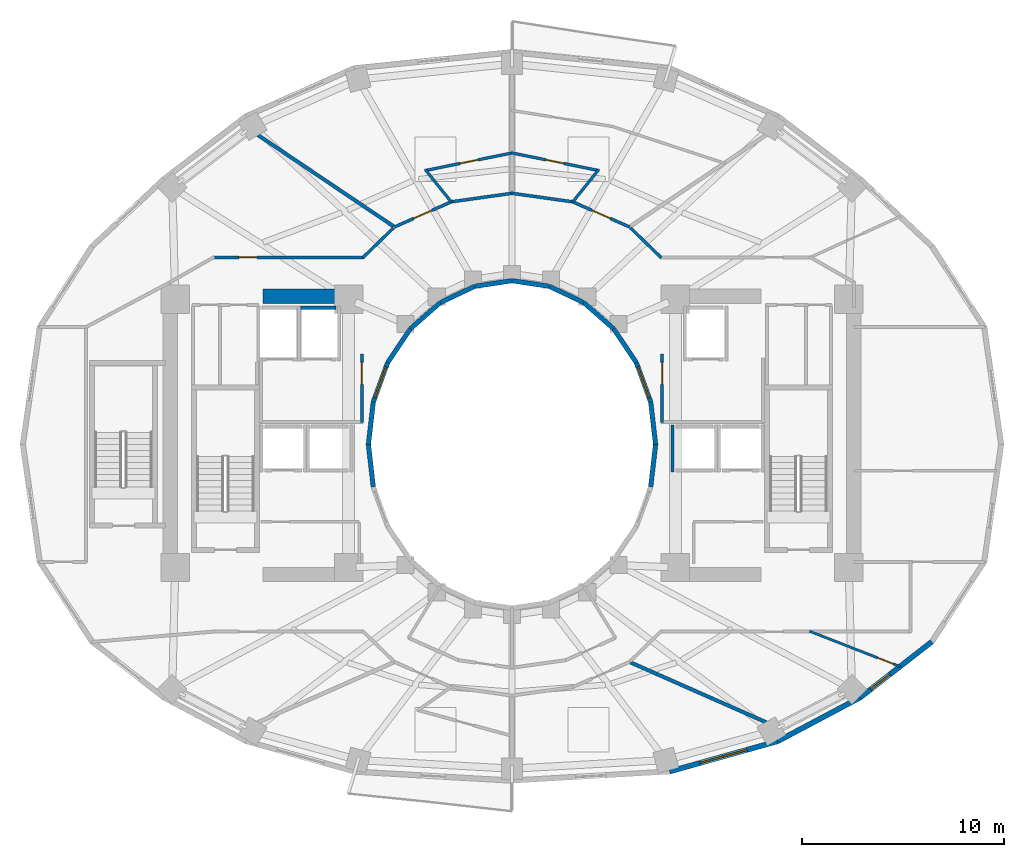
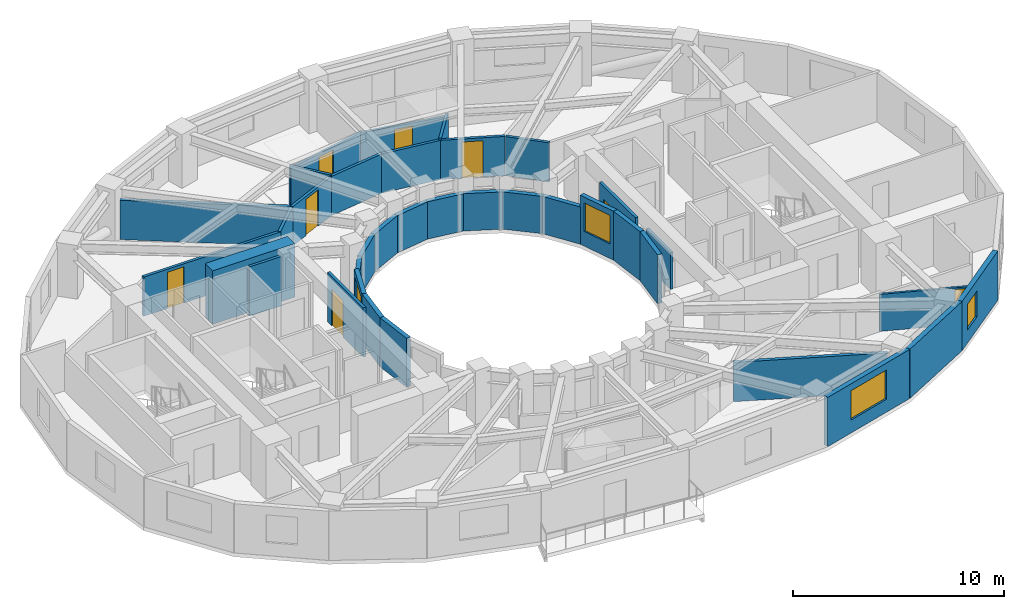
# One storey, part 5 of 9: 36 walls, 8 doors, 4 windows, 12 openings.
"""IFC4 building model written with IfcOpenShell, lengths in metres."""

import ifcopenshell
import ifcopenshell.guid

model = None  # the IFC model being written
_history = None  # IfcOwnerHistory: only IFC2X3 demands one
_inside = {}  # id of a spatial element -> (the spatial element, [elements in it])
_under = {}  # id of a project, library or spatial element -> (it, [spatial elements below it])
_declared = {}  # id of a project -> (the project, [libraries it declares])
_typed = {}  # id of a type object -> (the type object, [elements of that type])
_made_of = {}  # id of a material, layer set ... -> (it, [elements and type objects made of it])


def new_model(schema):
    """Start an empty IFC model of exactly this schema.

    Asked for "IFC4X3", IfcOpenShell would pick the latest addendum, in which some entities
    have other attributes; the version numbers below select the first issue.
    IFC2X3 requires an IfcOwnerHistory on every rooted entity: one is made here for all.
    """
    global model, _history
    if schema == "IFC4X3":
        model = ifcopenshell.file(schema_version=(4, 3, 0, 0))
    else:
        model = ifcopenshell.file(schema=schema)
    _inside.clear()
    _under.clear()
    _declared.clear()
    _typed.clear()
    _made_of.clear()
    _history = None
    if model.schema == "IFC2X3":
        org = make("IfcOrganization", Name="unknown")
        user = make(
            "IfcPersonAndOrganization",
            ThePerson=make("IfcPerson", FamilyName="unknown"),
            TheOrganization=org,
        )
        app = make(
            "IfcApplication",
            ApplicationDeveloper=org,
            Version="unknown",
            ApplicationFullName="unknown",
            ApplicationIdentifier="unknown",
        )
        _history = make(
            "IfcOwnerHistory",
            OwningUser=user,
            OwningApplication=app,
            ChangeAction="ADDED",
            CreationDate=0,
        )
    return model


def make(cls, **values):
    """One entity of the class cls with the attributes given. An attribute that is None is left unset."""
    return model.create_entity(
        cls, **{name: value for name, value in values.items() if value is not None}
    )


def rooted(cls, **values):
    """An entity with a GlobalId (a new one), such as an element, a storey or a relation."""
    return make(cls, GlobalId=ifcopenshell.guid.new(), OwnerHistory=_history, **values)


def si_unit(unit_type, name, prefix=None):
    """IfcSIUnit, for example si_unit("LENGTHUNIT", "METRE", prefix="MILLI")."""
    return make("IfcSIUnit", UnitType=unit_type, Prefix=prefix, Name=name)


def assignment(units):
    """IfcUnitAssignment: the units of a project."""
    return None if units is None else make("IfcUnitAssignment", Units=units)


def point(xyz):
    """IfcCartesianPoint."""
    return None if xyz is None else make("IfcCartesianPoint", Coordinates=xyz)


def direction(xyz):
    """IfcDirection."""
    return None if xyz is None else make("IfcDirection", DirectionRatios=xyz)


def frame(location, z_axis=None, x_axis=None):
    """IfcAxis2Placement3D, a coordinate frame: its origin and axes. An axis left out is left unset."""
    return make(
        "IfcAxis2Placement3D",
        Location=point(location),
        Axis=direction(z_axis),
        RefDirection=direction(x_axis),
    )


def frame_2d(location, x_axis=None):
    """IfcAxis2Placement2D, a coordinate frame in the plane: its origin and x axis."""
    return make(
        "IfcAxis2Placement2D", Location=point(location), RefDirection=direction(x_axis)
    )


def origin():
    """The frame at (0, 0, 0) with its axes left unset."""
    return frame((0.0, 0.0, 0.0))


def place(relative_to, where):
    """IfcLocalPlacement: puts the frame where relative to a parent placement (None: the world)."""
    return make(
        "IfcLocalPlacement", PlacementRelTo=relative_to, RelativePlacement=where
    )


def context(
    kind, dimensions, precision=None, world=None, true_north=None, identifier=None
):
    """IfcGeometricRepresentationContext, for example the 3D "Model" context."""
    return make(
        "IfcGeometricRepresentationContext",
        ContextIdentifier=identifier,
        ContextType=kind,
        CoordinateSpaceDimension=dimensions,
        Precision=precision,
        WorldCoordinateSystem=world,
        TrueNorth=true_north,
    )


def subcontext(parent, identifier, kind, view, scale=None):
    """IfcGeometricRepresentationSubContext, for example "Body" below "Model"."""
    return make(
        "IfcGeometricRepresentationSubContext",
        ContextIdentifier=identifier,
        ContextType=kind,
        ParentContext=parent,
        TargetScale=scale,
        TargetView=view,
    )


def project(units=None, contexts=None):
    """IfcProject with its units and contexts."""
    return rooted(
        "IfcProject",
        Name="project",
        RepresentationContexts=contexts,
        UnitsInContext=assignment(units),
    )


def spatial(cls, under=None, at=None, **own):
    """A site, building, storey or space (cls), placed at a placement, below another one or the project."""
    s = rooted(cls, ObjectPlacement=at, **own)
    if under is not None:
        _under.setdefault(under.id(), (under, []))[1].append(s)
    return s


def profile(cls, at=None, kind="AREA", **sizes):
    """A parametric profile (cls). Its sizes go by their IFC names, for example OverallWidth=200.0."""
    return make(cls, ProfileType=kind, Position=at, **sizes)


def rectangle(**sizes):
    """IfcRectangleProfileDef."""
    return profile("IfcRectangleProfileDef", **sizes)


def extrude(swept, where, along, depth):
    """IfcExtrudedAreaSolid: the profile swept, set in the frame where, extruded along a direction by depth."""
    return make(
        "IfcExtrudedAreaSolid",
        SweptArea=swept,
        Position=where,
        ExtrudedDirection=direction(along),
        Depth=depth,
    )


def shape(context_of_items, identifier, shape_type, items):
    """IfcShapeRepresentation: the items that make up one representation, for example the "Body"."""
    return make(
        "IfcShapeRepresentation",
        ContextOfItems=context_of_items,
        RepresentationIdentifier=identifier,
        RepresentationType=shape_type,
        Items=items,
    )


def material(Name=None, Category=None):
    """IfcMaterial."""
    return make("IfcMaterial", Name=Name, Category=Category)


def layer(
    of_material, thickness, ventilated=None, Name=None, Category=None, Priority=None
):
    """IfcMaterialLayer: one layer of a wall or slab, of a material (None: an air gap)."""
    return make(
        "IfcMaterialLayer",
        Material=of_material,
        LayerThickness=thickness,
        IsVentilated=ventilated,
        Name=Name,
        Category=Category,
        Priority=Priority,
    )


def layer_set(layers, Name=None):
    """IfcMaterialLayerSet."""
    return make("IfcMaterialLayerSet", MaterialLayers=layers, LayerSetName=Name)


def made_of(thing, what):
    """Note that an element or type object is made of a material, layer set ...; save() writes the relation."""
    if what is not None:
        _made_of.setdefault(what.id(), (what, []))[1].append(thing)
    return thing


def type_object(cls, material=None, **own):
    """A type object (cls), such as IfcWallType, which elements share."""
    return made_of(rooted(cls, **own), material)


def element(
    cls,
    number,
    at=None,
    inside=None,
    cuts=None,
    type_object=None,
    material=None,
    context=None,
    identifier="Body",
    shape_type=None,
    held_by="IfcProductDefinitionShape",
    body=None,
    shapes=None,
    **own,
):
    """One element of the class cls, such as IfcWall. Its Tag is "e" and its number.

    at: its placement. inside: the storey or other place that contains it. cuts: it is an
    opening in that element (IfcRelVoidsElement). A single representation is given by context,
    identifier, shape_type and body (its items); several are given by shapes. held_by: the class
    of the entity that holds the representations. save() writes the other relations.
    """
    e = rooted(cls, Tag="e%d" % number, ObjectPlacement=at, **own)
    if body is not None:
        shapes = [shape(context, identifier, shape_type, body)]
    if shapes is not None:
        e.Representation = make(held_by, Representations=shapes)
    if inside is not None:
        _inside.setdefault(inside.id(), (inside, []))[1].append(e)
    if cuts is not None:
        rooted(
            "IfcRelVoidsElement", RelatingBuildingElement=cuts, RelatedOpeningElement=e
        )
    if type_object is not None:
        _typed.setdefault(type_object.id(), (type_object, []))[1].append(e)
    return made_of(e, material)


def fill(opening, filler):
    """IfcRelFillsElement: the door or window that sits in an opening."""
    return rooted(
        "IfcRelFillsElement",
        RelatingOpeningElement=opening,
        RelatedBuildingElement=filler,
    )


def aggregate(whole, parts):
    """IfcRelAggregates: a whole, such as a stair, and the parts it consists of."""
    return rooted("IfcRelAggregates", RelatingObject=whole, RelatedObjects=parts)


def save(model, path):
    """Write the relations noted so far, then the file.

    IfcRelAggregates (storeys below a building ...), IfcRelContainedInSpatialStructure (elements
    in a storey), IfcRelDefinesByType, IfcRelAssociatesMaterial and IfcRelDeclares: one each for
    every whole, place, type object, material and project.
    """
    for whole, parts in _under.values():
        aggregate(whole, parts)
    for where, things in _inside.values():
        rooted(
            "IfcRelContainedInSpatialStructure",
            RelatedElements=things,
            RelatingStructure=where,
        )
    for kind, things in _typed.values():
        rooted("IfcRelDefinesByType", RelatedObjects=things, RelatingType=kind)
    for what, things in _made_of.values():
        rooted("IfcRelAssociatesMaterial", RelatedObjects=things, RelatingMaterial=what)
    for by, libraries in _declared.values():
        rooted("IfcRelDeclares", RelatingContext=by, RelatedDefinitions=libraries)
    model.write(path)


model = new_model("IFC4")

# Units and contexts
model_context = context("Model", 3, precision=1e-05, world=origin(), true_north=direction((0.0, 1.0)))
body_context = subcontext(model_context, "Body", "Model", "MODEL_VIEW")
ifc_project = project(units=[si_unit("LENGTHUNIT", "METRE"), si_unit("AREAUNIT", "SQUARE_METRE"), si_unit("VOLUMEUNIT", "CUBIC_METRE"), si_unit("PLANEANGLEUNIT", "RADIAN"), si_unit("MASSUNIT", "GRAM", prefix="KILO")], contexts=[model_context])

# Site, building, storey
site_placement = place(None, origin())
site = spatial("IfcSite", under=ifc_project, at=site_placement, CompositionType="ELEMENT")
building_placement = place(site_placement, origin())
building = spatial("IfcBuilding", under=site, at=building_placement, Name="Solvane Sanctuary Tower", CompositionType="ELEMENT")
storey_placement = place(building_placement, frame((0.0, 0.0, 116.60009765625)))
storey = spatial("IfcBuildingStorey", under=building, at=storey_placement, Name="L35", CompositionType="ELEMENT", Elevation=116.60009765625)

# Wall
ifc_material_1 = material(Name="Concrete C60/75", Category="concrete")
ifc_layer_1 = layer(ifc_material_1, 0.699951171875, Name="Concrete C60/75")
ifc_layer_set_1 = layer_set([ifc_layer_1], Name="Concrete C60/75")
wall_type_1 = type_object("IfcWallType", Name="Wall W-CORE-700", PredefinedType="SHEAR", material=ifc_layer_set_1)
wall_1_placement = place(storey_placement, frame((19.64990234375, 30.35009765625, 0.0), z_axis=(0.0, 0.0, 1.0), x_axis=(1.0, 0.0, 0.0)))
element("IfcWall", 1, at=wall_1_placement, inside=storey, type_object=wall_type_1, Name="L35 Core Shear Wall WC-N", PredefinedType="SHEAR", context=body_context, shape_type="SweptSolid", body=[
    extrude(rectangle(XDim=4.5, YDim=0.699951171875, at=frame_2d((2.25, 0.0))), origin(), (0.0, 0.0, 1.0), 3.099853515625),
])

# Wall, opening, door
ifc_material_2 = material(Name="Acoustic Gypsum Partition Board")
ifc_layer_2 = layer(ifc_material_2, 0.14990234375, Name="Acoustic Gypsum Partition Board")
ifc_layer_set_2 = layer_set([ifc_layer_2], Name="Acoustic Gypsum Partition Board")
wall_type_2 = type_object("IfcWallType", Name="Wall W-CORR-150", PredefinedType="PARTITIONING", material=ifc_layer_set_2)
wall_2_placement = place(storey_placement, frame((24.550048828125, 24.080078125, 0.0), z_axis=(0.0, 0.0, 1.0), x_axis=(0.0, 1.0, 0.0)))
wall_2 = element("IfcWall", 2, at=wall_2_placement, inside=storey, type_object=wall_type_2, Name="L35 West Firefighting Lobby East Wall", PredefinedType="PARTITIONING", context=body_context, shape_type="SweptSolid", body=[
    extrude(rectangle(XDim=3.39990234375, YDim=0.14990234375, at=frame_2d((1.699951171875, 0.0))), origin(), (0.0, 0.0, 1.0), 2.85498046875),
])
opening_1_placement = place(wall_2_placement, frame((1.893798828125, 0.0, 0.0)))
opening_1 = element("IfcOpeningElement", 3, at=opening_1_placement, cuts=wall_2, Name="Opening D-L35-06", PredefinedType="OPENING", context=body_context, shape_type="SweptSolid", body=[
    extrude(rectangle(XDim=1.10009765625, YDim=2.10009765625, at=frame_2d((0.550048828125, 1.050048828125))), frame((0.0, 0.0849609375, 0.0), z_axis=(0.0, -1.0, 0.0), x_axis=(1.0, 0.0, 0.0)), (0.0, 0.0, 1.0), 0.169921875),
])
ifc_material_3 = material(Name="Architectural Stainless Steel 316", Category="steel")
door_type_1 = type_object("IfcDoorType", Name="Door D-FFL", OperationType="NOTDEFINED", PredefinedType="DOOR", material=ifc_material_3)
door_1_placement = place(opening_1_placement, origin())
door_1 = element("IfcDoor", 4, at=door_1_placement, inside=storey, type_object=door_type_1, Name="L35 West Firefighting Lobby Fire Door", OperationType="SINGLE_SWING_LEFT", OverallHeight=2.10009765625, OverallWidth=1.10009765625, PredefinedType="DOOR", context=body_context, shape_type="SweptSolid", body=[
    extrude(rectangle(XDim=1.10009765625, YDim=2.10009765625, at=frame_2d((0.550048828125, 1.050048828125))), frame((0.0, 0.02490234375, 0.0), z_axis=(0.0, -1.0, 0.0), x_axis=(1.0, 0.0, 0.0)), (0.0, 0.0, 1.0), 0.050048828125),
])
fill(opening_1, door_1)

wall_3_placement = place(storey_placement, frame((39.449951171875, 24.080078125, 0.0), z_axis=(0.0, 0.0, 1.0), x_axis=(0.0, 1.0, 0.0)))
wall_3 = element("IfcWall", 5, at=wall_3_placement, inside=storey, type_object=wall_type_2, Name="L35 East Firefighting Lobby West Wall", PredefinedType="PARTITIONING", context=body_context, shape_type="SweptSolid", body=[
    extrude(rectangle(XDim=3.39990234375, YDim=0.14990234375, at=frame_2d((1.699951171875, 0.0))), origin(), (0.0, 0.0, 1.0), 2.85498046875),
])
opening_2_placement = place(wall_3_placement, frame((1.893798828125, 0.0, 0.0)))
opening_2 = element("IfcOpeningElement", 6, at=opening_2_placement, cuts=wall_3, Name="Opening D-L35-07", PredefinedType="OPENING", context=body_context, shape_type="SweptSolid", body=[
    extrude(rectangle(XDim=1.10009765625, YDim=2.10009765625, at=frame_2d((0.550048828125, 1.050048828125))), frame((0.0, 0.0849609375, 0.0), z_axis=(0.0, -1.0, 0.0), x_axis=(1.0, 0.0, 0.0)), (0.0, 0.0, 1.0), 0.169921875),
])
door_2_placement = place(opening_2_placement, origin())
door_2 = element("IfcDoor", 7, at=door_2_placement, inside=storey, type_object=door_type_1, Name="L35 East Firefighting Lobby Fire Door", OperationType="SINGLE_SWING_RIGHT", OverallHeight=2.10009765625, OverallWidth=1.10009765625, PredefinedType="DOOR", context=body_context, shape_type="SweptSolid", body=[
    extrude(rectangle(XDim=1.10009765625, YDim=2.10009765625, at=frame_2d((0.550048828125, 1.050048828125))), frame((0.0, 0.02490234375, 0.0), z_axis=(0.0, -1.0, 0.0), x_axis=(1.0, 0.0, 0.0)), (0.0, 0.0, 1.0), 0.050048828125),
])
fill(opening_2, door_2)

# Walls
for number, where, z_axis, x_axis, name in (
    (8, (37.867431640625, 33.748779296875, 0.0), (0.0, 0.0, 1.0), (0.717419568599, -0.696641344302, 0.0), "L35 NE Corner Throat Wall"),
    (9, (26.132568359375, 33.748779296875, 0.0), (0.0, 0.0, 1.0), (-0.717419568599, -0.696641344302, 0.0), "L35 NW Corner Throat Wall"),
):
    element("IfcWall", number, at=place(storey_placement, frame(where, z_axis=z_axis, x_axis=x_axis)), inside=storey, type_object=wall_type_2, Name=name, PredefinedType="PARTITIONING", context=body_context, shape_type="SweptSolid", body=[
        extrude(rectangle(XDim=2.138427734375, YDim=0.14990234375, at=frame_2d((1.0693359375, 0.0))), origin(), (0.0, 0.0, 1.0), 2.27197265625),
    ])

# Wall, opening, door
wall_4_placement = place(storey_placement, frame((17.14990234375, 32.280029296875, 0.0), z_axis=(0.0, 0.0, 1.0), x_axis=(1.0, 0.0, 0.0)))
wall_4 = element("IfcWall", 10, at=wall_4_placement, inside=storey, type_object=wall_type_2, Name="L35 NW Corner Corridor Wall", PredefinedType="PARTITIONING", context=body_context, shape_type="SweptSolid", body=[
    extrude(rectangle(XDim=7.52001953125, YDim=0.14990234375, at=frame_2d((3.760009765625, 0.0))), origin(), (0.0, 0.0, 1.0), 2.27197265625),
])
opening_3_placement = place(wall_4_placement, frame((1.300048828125, 0.0, 0.0)))
opening_3 = element("IfcOpeningElement", 11, at=opening_3_placement, cuts=wall_4, Name="Opening D-L35-19", PredefinedType="OPENING", context=body_context, shape_type="SweptSolid", body=[
    extrude(rectangle(XDim=0.89990234375, YDim=2.10009765625, at=frame_2d((0.449951171875, 1.050048828125))), frame((0.0, 0.0849609375, 0.0), z_axis=(0.0, -1.0, 0.0), x_axis=(1.0, 0.0, 0.0)), (0.0, 0.0, 1.0), 0.169921875),
])
ifc_material_4 = material(Name="Engineered Tropical Hardwood", Category="wood")
door_type_2 = type_object("IfcDoorType", Name="Door D-WET-900", OperationType="NOTDEFINED", PredefinedType="DOOR", material=ifc_material_4)
door_3_placement = place(opening_3_placement, origin())
door_3 = element("IfcDoor", 12, at=door_3_placement, inside=storey, type_object=door_type_2, Name="L35 NW Corner Salon Door", OperationType="SINGLE_SWING_RIGHT", OverallHeight=2.10009765625, OverallWidth=0.89990234375, PredefinedType="DOOR", context=body_context, shape_type="SweptSolid", body=[
    extrude(rectangle(XDim=0.89990234375, YDim=2.10009765625, at=frame_2d((0.449951171875, 1.050048828125))), frame((0.0, 0.02490234375, 0.0), z_axis=(0.0, -1.0, 0.0), x_axis=(1.0, 0.0, 0.0)), (0.0, 0.0, 1.0), 0.050048828125),
])
fill(opening_3, door_3)

# Wall
wall_5_placement = place(storey_placement, frame((35.06640625, 35.024658203125, 0.0), z_axis=(0.0, 0.0, 1.0), x_axis=(-0.990254405439, 0.139270285808, 0.0)))
element("IfcWall", 13, at=wall_5_placement, inside=storey, type_object=wall_type_2, Name="L35 En-suite Inner Wall N1", PredefinedType="PARTITIONING", context=body_context, shape_type="SweptSolid", body=[
    extrude(rectangle(XDim=3.146728515625, YDim=0.14990234375, at=frame_2d((1.5732421875, 0.0))), origin(), (0.0, 0.0, 1.0), 2.27197265625),
])

# Wall, opening, door
wall_6_placement = place(storey_placement, frame((37.8349609375, 33.782958984375, 0.0), z_axis=(0.0, 0.0, 1.0), x_axis=(-0.91445214467, 0.404694051239, 0.0)))
wall_6 = element("IfcWall", 14, at=wall_6_placement, inside=storey, type_object=wall_type_2, Name="L35 Unit Corridor Wall N1", PredefinedType="PARTITIONING", context=body_context, shape_type="SweptSolid", body=[
    extrude(rectangle(XDim=3.090576171875, YDim=0.14990234375, at=frame_2d((1.54541015625, 0.0))), origin(), (0.0, 0.0, 1.0), 2.27197265625),
])
opening_4_placement = place(wall_6_placement, frame((1.04541015625, 0.0, 0.0)))
opening_4 = element("IfcOpeningElement", 15, at=opening_4_placement, cuts=wall_6, Name="Opening D-L35-27", PredefinedType="OPENING", context=body_context, shape_type="SweptSolid", body=[
    extrude(rectangle(XDim=1.0, YDim=2.10009765625, at=frame_2d((0.5, 1.050048828125))), frame((0.0, 0.0849609375, 0.0), z_axis=(0.0, -1.0, 0.0), x_axis=(1.0, 0.0, 0.0)), (0.0, 0.0, 1.0), 0.169921875),
])
door_type_3 = type_object("IfcDoorType", Name="Door D-UNIT", OperationType="NOTDEFINED", PredefinedType="DOOR", material=ifc_material_4)
door_4_placement = place(opening_4_placement, origin())
door_4 = element("IfcDoor", 16, at=door_4_placement, inside=storey, type_object=door_type_3, Name="L35 Unit Entrance Door N1", OperationType="SINGLE_SWING_RIGHT", OverallHeight=2.10009765625, OverallWidth=1.0, PredefinedType="DOOR", context=body_context, shape_type="SweptSolid", body=[
    extrude(rectangle(XDim=1.0, YDim=2.10009765625, at=frame_2d((0.5, 1.050048828125))), frame((0.0, 0.02490234375, 0.0), z_axis=(0.0, -1.0, 0.0), x_axis=(1.0, 0.0, 0.0)), (0.0, 0.0, 1.0), 0.050048828125),
])
fill(opening_4, door_4)

# Wall
wall_7_placement = place(storey_placement, frame((32.049560546875, 35.462890625, 0.0), z_axis=(0.0, 0.0, 1.0), x_axis=(-0.990254405439, -0.139270285808, 0.0)))
element("IfcWall", 17, at=wall_7_placement, inside=storey, type_object=wall_type_2, Name="L35 En-suite Inner Wall N2", PredefinedType="PARTITIONING", context=body_context, shape_type="SweptSolid", body=[
    extrude(rectangle(XDim=3.146728515625, YDim=0.14990234375, at=frame_2d((1.5732421875, 0.0))), origin(), (0.0, 0.0, 1.0), 2.27197265625),
])

# Wall, opening, door
wall_8_placement = place(storey_placement, frame((28.9912109375, 35.03369140625, 0.0), z_axis=(0.0, 0.0, 1.0), x_axis=(-0.91445214467, -0.404694051239, 0.0)))
wall_8 = element("IfcWall", 18, at=wall_8_placement, inside=storey, type_object=wall_type_2, Name="L35 Unit Corridor Wall N2", PredefinedType="PARTITIONING", context=body_context, shape_type="SweptSolid", body=[
    extrude(rectangle(XDim=3.090576171875, YDim=0.14990234375, at=frame_2d((1.54541015625, 0.0))), origin(), (0.0, 0.0, 1.0), 2.27197265625),
])
opening_5_placement = place(wall_8_placement, frame((1.04541015625, 0.0, 0.0)))
opening_5 = element("IfcOpeningElement", 19, at=opening_5_placement, cuts=wall_8, Name="Opening D-L35-29", PredefinedType="OPENING", context=body_context, shape_type="SweptSolid", body=[
    extrude(rectangle(XDim=1.0, YDim=2.10009765625, at=frame_2d((0.5, 1.050048828125))), frame((0.0, 0.0849609375, 0.0), z_axis=(0.0, -1.0, 0.0), x_axis=(1.0, 0.0, 0.0)), (0.0, 0.0, 1.0), 0.169921875),
])
door_5_placement = place(opening_5_placement, origin())
door_5 = element("IfcDoor", 20, at=door_5_placement, inside=storey, type_object=door_type_3, Name="L35 Unit Entrance Door N2", OperationType="SINGLE_SWING_RIGHT", OverallHeight=2.10009765625, OverallWidth=1.0, PredefinedType="DOOR", context=body_context, shape_type="SweptSolid", body=[
    extrude(rectangle(XDim=1.0, YDim=2.10009765625, at=frame_2d((0.5, 1.050048828125))), frame((0.0, 0.02490234375, 0.0), z_axis=(0.0, -1.0, 0.0), x_axis=(1.0, 0.0, 0.0)), (0.0, 0.0, 1.0), 0.050048828125),
])
fill(opening_5, door_5)

# Wall, opening, window
ifc_material_5 = material(Name="Precast concrete C40/50", Category="concrete")
ifc_layer_3 = layer(ifc_material_5, 0.260009765625, Name="Precast concrete C40/50")
ifc_layer_set_3 = layer_set([ifc_layer_3], Name="Precast concrete C40/50")
wall_type_3 = type_object("IfcWallType", Name="Wall W-EXT-250", PredefinedType="STANDARD", material=ifc_layer_set_3)
wall_9_placement = place(storey_placement, frame((39.81640625, 6.7783203125, 0.0), z_axis=(0.0, 0.0, 1.0), x_axis=(0.962938491413, 0.269721081407, 0.0)))
wall_9 = element("IfcWall", 21, at=wall_9_placement, inside=storey, type_object=wall_type_3, Name="L35 Ceramic-Printed Facade Wall 19", PredefinedType="STANDARD", context=body_context, shape_type="SweptSolid", body=[
    extrude(rectangle(XDim=5.563232421875, YDim=0.260009765625, at=frame_2d((2.78173828125, 0.0))), origin(), (0.0, 0.0, 1.0), 2.849853515625),
])
opening_6_placement = place(wall_9_placement, frame((1.58154296875, 0.0, 0.75)))
opening_6 = element("IfcOpeningElement", 22, at=opening_6_placement, cuts=wall_9, Name="Opening WN-RIB-2400", PredefinedType="OPENING", context=body_context, shape_type="SweptSolid", body=[
    extrude(rectangle(XDim=2.39990234375, YDim=1.699951171875, at=frame_2d((1.199951171875, 0.85009765625))), frame((0.0, 0.139892578125, 0.0), z_axis=(0.0, -1.0, 0.0), x_axis=(1.0, 0.0, 0.0)), (0.0, 0.0, 1.0), 0.280029296875),
])
ifc_material_6 = material(Name="Dark Ceramic-Fritted Low-E Glass", Category="glass")
window_type_1 = type_object("IfcWindowType", Name="Window WN-RIB-2400", PartitioningType="SINGLE_PANEL", PredefinedType="WINDOW", material=ifc_material_6)
window_1_placement = place(opening_6_placement, origin())
window_1 = element("IfcWindow", 23, at=window_1_placement, inside=storey, type_object=window_type_1, Name="L35 Operable Facade Window 19", OverallHeight=1.699951171875, OverallWidth=2.39990234375, PartitioningType="SINGLE_PANEL", PredefinedType="WINDOW", context=body_context, shape_type="SweptSolid", body=[
    extrude(rectangle(XDim=2.39990234375, YDim=1.699951171875, at=frame_2d((1.199951171875, 0.85009765625))), frame((0.0, 0.030029296875, 0.0), z_axis=(0.0, -1.0, 0.0), x_axis=(1.0, 0.0, 0.0)), (0.0, 0.0, 1.0), 0.06005859375),
])
fill(opening_6, window_1)

# Wall
wall_10_placement = place(storey_placement, frame((45.17333984375, 8.27880859375, 0.0), z_axis=(0.0, 0.0, 1.0), x_axis=(0.883668636807, 0.4681129568, 0.0)))
element("IfcWall", 24, at=wall_10_placement, inside=storey, type_object=wall_type_3, Name="L35 Ceramic-Printed Facade Wall 20", PredefinedType="STANDARD", context=body_context, shape_type="SweptSolid", body=[
    extrude(rectangle(XDim=4.63134765625, YDim=0.260009765625, at=frame_2d((2.315673828125, 0.0))), origin(), (0.0, 0.0, 1.0), 2.849853515625),
])

# Wall, opening, window
wall_11_placement = place(storey_placement, frame((49.265869140625, 10.44677734375, 0.0), z_axis=(0.0, 0.0, 1.0), x_axis=(0.789127449954, 0.614229491094, 0.0)))
wall_11 = element("IfcWall", 25, at=wall_11_placement, inside=storey, type_object=wall_type_3, Name="L35 Ceramic-Printed Facade Wall 21", PredefinedType="STANDARD", context=body_context, shape_type="SweptSolid", body=[
    extrude(rectangle(XDim=4.504638671875, YDim=0.260009765625, at=frame_2d((2.25244140625, 0.0))), origin(), (0.0, 0.0, 1.0), 2.849853515625),
])
opening_7_placement = place(wall_11_placement, frame((0.677490234375, 0.0, 0.75)))
opening_7 = element("IfcOpeningElement", 26, at=opening_7_placement, cuts=wall_11, Name="Opening WN-OPER-1200", PredefinedType="OPENING", context=body_context, shape_type="SweptSolid", body=[
    extrude(rectangle(XDim=1.199951171875, YDim=1.5, at=frame_2d((0.60009765625, 0.75))), frame((0.0, 0.139892578125, 0.0), z_axis=(0.0, -1.0, 0.0), x_axis=(1.0, 0.0, 0.0)), (0.0, 0.0, 1.0), 0.280029296875),
])
window_type_2 = type_object("IfcWindowType", Name="Window WN-OPER-1200", PartitioningType="SINGLE_PANEL", PredefinedType="WINDOW", material=ifc_material_6)
window_2_placement = place(opening_7_placement, origin())
window_2 = element("IfcWindow", 27, at=window_2_placement, inside=storey, type_object=window_type_2, Name="L35 Operable Facade Window 21", OverallHeight=1.5, OverallWidth=1.199951171875, PartitioningType="SINGLE_PANEL", PredefinedType="WINDOW", context=body_context, shape_type="SweptSolid", body=[
    extrude(rectangle(XDim=1.199951171875, YDim=1.5, at=frame_2d((0.60009765625, 0.75))), frame((0.0, 0.030029296875, 0.0), z_axis=(0.0, -1.0, 0.0), x_axis=(1.0, 0.0, 0.0)), (0.0, 0.0, 1.0), 0.06005859375),
])
fill(opening_7, window_2)

# Wall
ifc_layer_4 = layer(ifc_material_5, 0.22998046875, Name="Precast concrete C40/50")
ifc_layer_set_4 = layer_set([ifc_layer_4], Name="Precast concrete C40/50")
wall_type_4 = type_object("IfcWallType", Name="Wall W-EXT-SP220", PredefinedType="STANDARD", material=ifc_layer_set_4)
wall_12_placement = place(storey_placement, frame((39.1201171875, 23.0, 0.0), z_axis=(0.0, 0.0, 1.0), x_axis=(-0.114711713601, 0.993398823617, 0.0)))
element("IfcWall", 28, at=wall_12_placement, inside=storey, type_object=wall_type_4, Name="L35 Central Light-Well Wall 00", PredefinedType="STANDARD", context=body_context, shape_type="SweptSolid", body=[
    extrude(rectangle(XDim=2.115478515625, YDim=0.22998046875, at=frame_2d((1.0576171875, 0.0))), origin(), (0.0, 0.0, 1.0), 2.83984375),
])

# Wall, opening, window
wall_13_placement = place(storey_placement, frame((38.87744140625, 25.1015625, 0.0), z_axis=(0.0, 0.0, 1.0), x_axis=(-0.341423187295, 0.93990968033, 0.0)))
wall_13 = element("IfcWall", 29, at=wall_13_placement, inside=storey, type_object=wall_type_4, Name="L35 Central Light-Well Wall 01", PredefinedType="STANDARD", context=body_context, shape_type="SweptSolid", body=[
    extrude(rectangle(XDim=2.083740234375, YDim=0.22998046875, at=frame_2d((1.0419921875, 0.0))), origin(), (0.0, 0.0, 1.0), 2.83984375),
])
opening_8_placement = place(wall_13_placement, frame((0.24169921875, 0.0, 0.85009765625)))
opening_8 = element("IfcOpeningElement", 30, at=opening_8_placement, cuts=wall_13, Name="Opening WN-WELL-1600", PredefinedType="OPENING", context=body_context, shape_type="SweptSolid", body=[
    extrude(rectangle(XDim=1.60009765625, YDim=1.64990234375, at=frame_2d((0.800048828125, 0.824951171875))), frame((0.0, 0.125, 0.0), z_axis=(0.0, -1.0, 0.0), x_axis=(1.0, 0.0, 0.0)), (0.0, 0.0, 1.0), 0.25),
])
ifc_material_7 = material(Name="Clear Laminated Light-Well Glass", Category="glass")
window_type_3 = type_object("IfcWindowType", Name="Window WN-WELL-1600", PartitioningType="SINGLE_PANEL", PredefinedType="WINDOW", material=ifc_material_7)
window_3_placement = place(opening_8_placement, origin())
window_3 = element("IfcWindow", 31, at=window_3_placement, inside=storey, type_object=window_type_3, Name="L35 Light-Well Daylight Window 01", OverallHeight=1.64990234375, OverallWidth=1.60009765625, PartitioningType="SINGLE_PANEL", PredefinedType="WINDOW", context=body_context, shape_type="SweptSolid", body=[
    extrude(rectangle(XDim=1.60009765625, YDim=1.64990234375, at=frame_2d((0.800048828125, 0.824951171875))), frame((0.0, 0.030029296875, 0.0), z_axis=(0.0, -1.0, 0.0), x_axis=(1.0, 0.0, 0.0)), (0.0, 0.0, 1.0), 0.06005859375),
])
fill(opening_8, window_3)

# Walls
wall_14_placement = place(storey_placement, frame((38.166015625, 27.06005859375, 0.0), z_axis=(0.0, 0.0, 1.0), x_axis=(-0.558197800898, 0.829707909492, 0.0)))
element("IfcWall", 32, at=wall_14_placement, inside=storey, type_object=wall_type_4, Name="L35 Central Light-Well Wall 02", PredefinedType="STANDARD", context=body_context, shape_type="SweptSolid", body=[
    extrude(rectangle(XDim=2.02685546875, YDim=0.22998046875, at=frame_2d((1.013427734375, 0.0))), origin(), (0.0, 0.0, 1.0), 2.159912109375),
])
wall_15_placement = place(storey_placement, frame((37.03466796875, 28.74169921875, 0.0), z_axis=(0.0, 0.0, 1.0), x_axis=(-0.752576694707, 0.658504607869, 0.0)))
element("IfcWall", 33, at=wall_15_placement, inside=storey, type_object=wall_type_4, Name="L35 Central Light-Well Wall 03", PredefinedType="STANDARD", context=body_context, shape_type="SweptSolid", body=[
    extrude(rectangle(XDim=1.95947265625, YDim=0.22998046875, at=frame_2d((0.979736328125, 0.0))), origin(), (0.0, 0.0, 1.0), 2.159912109375),
])
wall_16_placement = place(storey_placement, frame((35.56005859375, 30.031982421875, 0.0), z_axis=(0.0, 0.0, 1.0), x_axis=(-0.904179699603, 0.427152280606, 0.0)))
element("IfcWall", 34, at=wall_16_placement, inside=storey, type_object=wall_type_4, Name="L35 Central Light-Well Wall 04", PredefinedType="STANDARD", context=body_context, shape_type="SweptSolid", body=[
    extrude(rectangle(XDim=1.899169921875, YDim=0.22998046875, at=frame_2d((0.94970703125, 0.0))), origin(), (0.0, 0.0, 1.0), 2.159912109375),
])
for number, where, z_axis, x_axis, name in (
    (35, (33.8427734375, 30.84326171875, 0.0), (0.0, 0.0, 1.0), (-0.988901730308, 0.148571086668, 0.0), "L35 Central Light-Well Wall 05"),
    (36, (32.0, 31.1201171875, 0.0), (0.0, 0.0, 1.0), (-0.988901730308, -0.148571086668, 0.0), "L35 Central Light-Well Wall 06"),
):
    element("IfcWall", number, at=place(storey_placement, frame(where, z_axis=z_axis, x_axis=x_axis)), inside=storey, type_object=wall_type_4, Name=name, PredefinedType="STANDARD", context=body_context, shape_type="SweptSolid", body=[
        extrude(rectangle(XDim=1.863525390625, YDim=0.22998046875, at=frame_2d((0.931640625, 0.0))), origin(), (0.0, 0.0, 1.0), 2.159912109375),
    ])
wall_17_placement = place(storey_placement, frame((30.1572265625, 30.84326171875, 0.0), z_axis=(0.0, 0.0, 1.0), x_axis=(-0.904179699603, -0.427152280606, 0.0)))
element("IfcWall", 37, at=wall_17_placement, inside=storey, type_object=wall_type_4, Name="L35 Central Light-Well Wall 07", PredefinedType="STANDARD", context=body_context, shape_type="SweptSolid", body=[
    extrude(rectangle(XDim=1.899169921875, YDim=0.22998046875, at=frame_2d((0.94970703125, 0.0))), origin(), (0.0, 0.0, 1.0), 2.159912109375),
])
wall_18_placement = place(storey_placement, frame((28.43994140625, 30.031982421875, 0.0), z_axis=(0.0, 0.0, 1.0), x_axis=(-0.752576694707, -0.658504607869, 0.0)))
element("IfcWall", 38, at=wall_18_placement, inside=storey, type_object=wall_type_4, Name="L35 Central Light-Well Wall 08", PredefinedType="STANDARD", context=body_context, shape_type="SweptSolid", body=[
    extrude(rectangle(XDim=1.95947265625, YDim=0.22998046875, at=frame_2d((0.979736328125, 0.0))), origin(), (0.0, 0.0, 1.0), 2.159912109375),
])
wall_19_placement = place(storey_placement, frame((26.96533203125, 28.74169921875, 0.0), z_axis=(0.0, 0.0, 1.0), x_axis=(-0.558197800898, -0.829707909492, 0.0)))
element("IfcWall", 39, at=wall_19_placement, inside=storey, type_object=wall_type_4, Name="L35 Central Light-Well Wall 09", PredefinedType="STANDARD", context=body_context, shape_type="SweptSolid", body=[
    extrude(rectangle(XDim=2.02685546875, YDim=0.22998046875, at=frame_2d((1.013427734375, 0.0))), origin(), (0.0, 0.0, 1.0), 2.159912109375),
])

# Wall, opening, window
wall_20_placement = place(storey_placement, frame((25.833984375, 27.06005859375, 0.0), z_axis=(0.0, 0.0, 1.0), x_axis=(-0.341423187295, -0.93990968033, 0.0)))
wall_20 = element("IfcWall", 40, at=wall_20_placement, inside=storey, type_object=wall_type_4, Name="L35 Central Light-Well Wall 10", PredefinedType="STANDARD", context=body_context, shape_type="SweptSolid", body=[
    extrude(rectangle(XDim=2.083740234375, YDim=0.22998046875, at=frame_2d((1.0419921875, 0.0))), origin(), (0.0, 0.0, 1.0), 2.83984375),
])
opening_9_placement = place(wall_20_placement, frame((0.24169921875, 0.0, 0.85009765625)))
opening_9 = element("IfcOpeningElement", 41, at=opening_9_placement, cuts=wall_20, Name="Opening WN-WELL-1600", PredefinedType="OPENING", context=body_context, shape_type="SweptSolid", body=[
    extrude(rectangle(XDim=1.60009765625, YDim=1.64990234375, at=frame_2d((0.800048828125, 0.824951171875))), frame((0.0, 0.125, 0.0), z_axis=(0.0, -1.0, 0.0), x_axis=(1.0, 0.0, 0.0)), (0.0, 0.0, 1.0), 0.25),
])
window_4_placement = place(opening_9_placement, origin())
window_4 = element("IfcWindow", 42, at=window_4_placement, inside=storey, type_object=window_type_3, Name="L35 Light-Well Daylight Window 10", OverallHeight=1.64990234375, OverallWidth=1.60009765625, PartitioningType="SINGLE_PANEL", PredefinedType="WINDOW", context=body_context, shape_type="SweptSolid", body=[
    extrude(rectangle(XDim=1.60009765625, YDim=1.64990234375, at=frame_2d((0.800048828125, 0.824951171875))), frame((0.0, 0.030029296875, 0.0), z_axis=(0.0, -1.0, 0.0), x_axis=(1.0, 0.0, 0.0)), (0.0, 0.0, 1.0), 0.06005859375),
])
fill(opening_9, window_4)

# Walls
for number, where, z_axis, x_axis, name in (
    (43, (25.12255859375, 25.1015625, 0.0), (0.0, 0.0, 1.0), (-0.114711713601, -0.993398823617, 0.0), "L35 Central Light-Well Wall 11"),
    (44, (24.8798828125, 23.0, 0.0), (0.0, 0.0, 1.0), (0.114711713601, -0.993398823617, 0.0), "L35 Central Light-Well Wall 12"),
    (45, (38.87744140625, 20.8984375, 0.0), (0.0, 0.0, 1.0), (0.114711713601, 0.993398823617, 0.0), "L35 Central Light-Well Wall 23"),
):
    element("IfcWall", number, at=place(storey_placement, frame(where, z_axis=z_axis, x_axis=x_axis)), inside=storey, type_object=wall_type_4, Name=name, PredefinedType="STANDARD", context=body_context, shape_type="SweptSolid", body=[
        extrude(rectangle(XDim=2.115478515625, YDim=0.22998046875, at=frame_2d((1.0576171875, 0.0))), origin(), (0.0, 0.0, 1.0), 2.83984375),
    ])

# Wall, opening, door
ifc_layer_5 = layer(ifc_material_2, 0.1201171875, Name="Acoustic Gypsum Partition Board")
ifc_layer_set_5 = layer_set([ifc_layer_5], Name="Acoustic Gypsum Partition Board")
wall_type_5 = type_object("IfcWallType", Name="Wall W-MOV-100", PredefinedType="MOVABLE", material=ifc_layer_set_5)
wall_21_placement = place(storey_placement, frame((46.75341796875, 13.73828125, 0.0), z_axis=(0.0, 0.0, 1.0), x_axis=(0.931516839514, -0.363698195901, 0.0)))
wall_21 = element("IfcWall", 46, at=wall_21_placement, inside=storey, type_object=wall_type_5, Name="L35 SE Corner Suite Partition", PredefinedType="MOVABLE", context=body_context, shape_type="SweptSolid", body=[
    extrude(rectangle(XDim=4.84521484375, YDim=0.1201171875, at=frame_2d((2.422607421875, 0.0))), origin(), (0.0, 0.0, 1.0), 2.141845703125),
])
opening_10_placement = place(wall_21_placement, frame((3.640625, 0.0, 0.0)))
opening_10 = element("IfcOpeningElement", 47, at=opening_10_placement, cuts=wall_21, Name="Opening D-L35-21", PredefinedType="OPENING", context=body_context, shape_type="SweptSolid", body=[
    extrude(rectangle(XDim=0.85009765625, YDim=2.050048828125, at=frame_2d((0.425048828125, 1.02490234375))), frame((0.0, 0.070068359375, 0.0), z_axis=(0.0, -1.0, 0.0), x_axis=(1.0, 0.0, 0.0)), (0.0, 0.0, 1.0), 0.14013671875),
])
door_type_4 = type_object("IfcDoorType", Name="Door D-RISER", OperationType="NOTDEFINED", PredefinedType="DOOR", material=ifc_material_3)
door_6_placement = place(opening_10_placement, origin())
door_6 = element("IfcDoor", 48, at=door_6_placement, inside=storey, type_object=door_type_4, Name="L35 SE Corner Suite Door", OperationType="SINGLE_SWING_RIGHT", OverallHeight=2.050048828125, OverallWidth=0.85009765625, PredefinedType="DOOR", context=body_context, shape_type="SweptSolid", body=[
    extrude(rectangle(XDim=0.85009765625, YDim=2.050048828125, at=frame_2d((0.425048828125, 1.02490234375))), frame((0.0, 0.02490234375, 0.0), z_axis=(0.0, -1.0, 0.0), x_axis=(1.0, 0.0, 0.0)), (0.0, 0.0, 1.0), 0.050048828125),
])
fill(opening_10, door_6)

# Walls
ifc_material_8 = material(Name="Concrete C50/60", Category="concrete")
ifc_layer_6 = layer(ifc_material_8, 0.14990234375, Name="Concrete C50/60")
ifc_layer_set_6 = layer_set([ifc_layer_6], Name="Concrete C50/60")
wall_type_6 = type_object("IfcWallType", Name="Wall W-SHAFT-150", PredefinedType="SOLIDWALL", material=ifc_layer_set_6)
wall_22_placement = place(storey_placement, frame((39.969970703125, 21.639892578125, 0.0), z_axis=(0.0, 0.0, 1.0), x_axis=(0.0, 1.0, 0.0)))
element("IfcWall", 49, at=wall_22_placement, inside=storey, type_object=wall_type_6, Name="L35 PH-2 Lift Shaft Wall S1", PredefinedType="SOLIDWALL", context=body_context, shape_type="SweptSolid", body=[
    extrude(rectangle(XDim=2.320068359375, YDim=0.14990234375, at=frame_2d((1.16015625, 0.0))), origin(), (0.0, 0.0, 1.0), 2.119873046875),
])
wall_23_placement = place(storey_placement, frame((21.5, 29.780029296875, 0.0), z_axis=(0.0, 0.0, 1.0), x_axis=(1.0, 0.0, 0.0)))
element("IfcWall", 50, at=wall_23_placement, inside=storey, type_object=wall_type_6, Name="L35 SVL-1 Lift Shaft Wall B", PredefinedType="SOLIDWALL", context=body_context, shape_type="SweptSolid", body=[
    extrude(rectangle(XDim=1.760009765625, YDim=0.14990234375, at=frame_2d((0.8798828125, 0.0))), origin(), (0.0, 0.0, 1.0), 2.85498046875),
])
ifc_layer_7 = layer(ifc_material_2, 0.179931640625, Name="Acoustic Gypsum Partition Board")
ifc_layer_set_7 = layer_set([ifc_layer_7], Name="Acoustic Gypsum Partition Board")
wall_type_7 = type_object("IfcWallType", Name="Wall W-UNIT-180", PredefinedType="PARTITIONING", material=ifc_layer_set_7)
wall_24_placement = place(storey_placement, frame((26.12646484375, 33.81787109375, 0.0), z_axis=(0.0, 0.0, 1.0), x_axis=(-0.829603023521, 0.558353672295, 0.0)))
element("IfcWall", 51, at=wall_24_placement, inside=storey, type_object=wall_type_7, Name="L35 Radial Compartment Wall 120", PredefinedType="PARTITIONING", context=body_context, shape_type="SweptSolid", body=[
    extrude(rectangle(XDim=8.114990234375, YDim=0.179931640625, at=frame_2d((4.0576171875, 0.0))), origin(), (0.0, 0.0, 1.0), 2.27197265625),
])
wall_25_placement = place(storey_placement, frame((37.87841796875, 12.190673828125, 0.0), z_axis=(0.0, 0.0, 1.0), x_axis=(0.914765930761, -0.403984271872, 0.0)))
element("IfcWall", 52, at=wall_25_placement, inside=storey, type_object=wall_type_7, Name="L35 Radial Compartment Wall 300", PredefinedType="PARTITIONING", context=body_context, shape_type="SweptSolid", body=[
    extrude(rectangle(XDim=7.35400390625, YDim=0.179931640625, at=frame_2d((3.677001953125, 0.0))), origin(), (0.0, 0.0, 1.0), 2.27197265625),
])
ifc_layer_8 = layer(ifc_material_2, 0.139892578125, Name="Acoustic Gypsum Partition Board")
ifc_layer_set_8 = layer_set([ifc_layer_8], Name="Acoustic Gypsum Partition Board")
wall_type_8 = type_object("IfcWallType", Name="Wall W-WET-140", PredefinedType="PLUMBINGWALL", material=ifc_layer_set_8)
wall_26_placement = place(storey_placement, frame((34.985595703125, 34.99267578125, 0.0), z_axis=(0.0, 0.0, 1.0), x_axis=(0.626196812755, 0.779665025313, 0.0)))
element("IfcWall", 53, at=wall_26_placement, inside=storey, type_object=wall_type_8, Name="L35 En-suite Side Partition N1", PredefinedType="PLUMBINGWALL", context=body_context, shape_type="SweptSolid", body=[
    extrude(rectangle(XDim=2.099853515625, YDim=0.139892578125, at=frame_2d((1.0498046875, 0.0))), origin(), (0.0, 0.0, 1.0), 2.385009765625),
])

# Wall, opening, door
wall_27_placement = place(storey_placement, frame((36.318115234375, 36.5810546875, 0.0), z_axis=(0.0, 0.0, 1.0), x_axis=(-0.980088730767, 0.19856001567, 0.0)))
wall_27 = element("IfcWall", 54, at=wall_27_placement, inside=storey, type_object=wall_type_8, Name="L35 En-suite Bedroom Wall N1", PredefinedType="PLUMBINGWALL", context=body_context, shape_type="SweptSolid", body=[
    extrude(rectangle(XDim=4.455810546875, YDim=0.139892578125, at=frame_2d((2.22802734375, 0.0))), origin(), (0.0, 0.0, 1.0), 2.27197265625),
])
opening_11_placement = place(wall_27_placement, frame((1.778076171875, 0.0, 0.0)))
opening_11 = element("IfcOpeningElement", 55, at=opening_11_placement, cuts=wall_27, Name="Opening D-L35-26", PredefinedType="OPENING", context=body_context, shape_type="SweptSolid", body=[
    extrude(rectangle(XDim=0.89990234375, YDim=2.10009765625, at=frame_2d((0.449951171875, 1.050048828125))), frame((0.0, 0.079833984375, 0.0), z_axis=(0.0, -1.0, 0.0), x_axis=(1.0, 0.0, 0.0)), (0.0, 0.0, 1.0), 0.159912109375),
])
door_7_placement = place(opening_11_placement, origin())
door_7 = element("IfcDoor", 56, at=door_7_placement, inside=storey, type_object=door_type_2, Name="L35 En-suite Bathroom Door N1", OperationType="SINGLE_SWING_LEFT", OverallHeight=2.10009765625, OverallWidth=0.89990234375, PredefinedType="DOOR", context=body_context, shape_type="SweptSolid", body=[
    extrude(rectangle(XDim=0.89990234375, YDim=2.10009765625, at=frame_2d((0.449951171875, 1.050048828125))), frame((0.0, 0.02490234375, 0.0), z_axis=(0.0, -1.0, 0.0), x_axis=(1.0, 0.0, 0.0)), (0.0, 0.0, 1.0), 0.050048828125),
])
fill(opening_11, door_7)

# Wall
wall_28_placement = place(storey_placement, frame((29.014404296875, 34.99267578125, 0.0), z_axis=(0.0, 0.0, 1.0), x_axis=(-0.626196812755, 0.779665025313, 0.0)))
element("IfcWall", 57, at=wall_28_placement, inside=storey, type_object=wall_type_8, Name="L35 En-suite Side Partition N2", PredefinedType="PLUMBINGWALL", context=body_context, shape_type="SweptSolid", body=[
    extrude(rectangle(XDim=2.099853515625, YDim=0.139892578125, at=frame_2d((1.0498046875, 0.0))), origin(), (0.0, 0.0, 1.0), 2.385009765625),
])

# Wall, opening, door
wall_29_placement = place(storey_placement, frame((32.049072265625, 37.4658203125, 0.0), z_axis=(0.0, 0.0, 1.0), x_axis=(-0.980088730767, -0.19856001567, 0.0)))
wall_29 = element("IfcWall", 58, at=wall_29_placement, inside=storey, type_object=wall_type_8, Name="L35 En-suite Bedroom Wall N2", PredefinedType="PLUMBINGWALL", context=body_context, shape_type="SweptSolid", body=[
    extrude(rectangle(XDim=4.455810546875, YDim=0.139892578125, at=frame_2d((2.22802734375, 0.0))), origin(), (0.0, 0.0, 1.0), 2.27197265625),
])
opening_12_placement = place(wall_29_placement, frame((1.778076171875, 0.0, 0.0)))
opening_12 = element("IfcOpeningElement", 59, at=opening_12_placement, cuts=wall_29, Name="Opening D-L35-28", PredefinedType="OPENING", context=body_context, shape_type="SweptSolid", body=[
    extrude(rectangle(XDim=0.89990234375, YDim=2.10009765625, at=frame_2d((0.449951171875, 1.050048828125))), frame((0.0, 0.079833984375, 0.0), z_axis=(0.0, -1.0, 0.0), x_axis=(1.0, 0.0, 0.0)), (0.0, 0.0, 1.0), 0.159912109375),
])
door_8_placement = place(opening_12_placement, origin())
door_8 = element("IfcDoor", 60, at=door_8_placement, inside=storey, type_object=door_type_2, Name="L35 En-suite Bathroom Door N2", OperationType="SINGLE_SWING_LEFT", OverallHeight=2.10009765625, OverallWidth=0.89990234375, PredefinedType="DOOR", context=body_context, shape_type="SweptSolid", body=[
    extrude(rectangle(XDim=0.89990234375, YDim=2.10009765625, at=frame_2d((0.449951171875, 1.050048828125))), frame((0.0, 0.02490234375, 0.0), z_axis=(0.0, -1.0, 0.0), x_axis=(1.0, 0.0, 0.0)), (0.0, 0.0, 1.0), 0.050048828125),
])
fill(opening_12, door_8)

save(model, "model.ifc")
